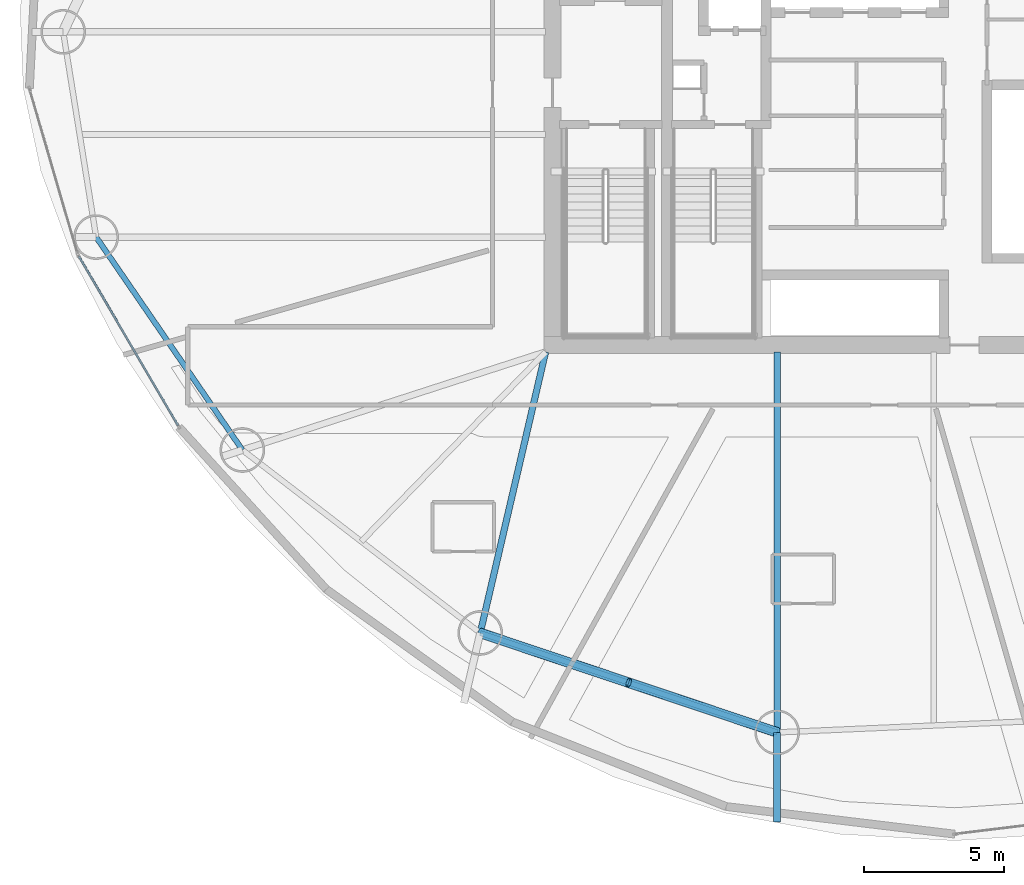
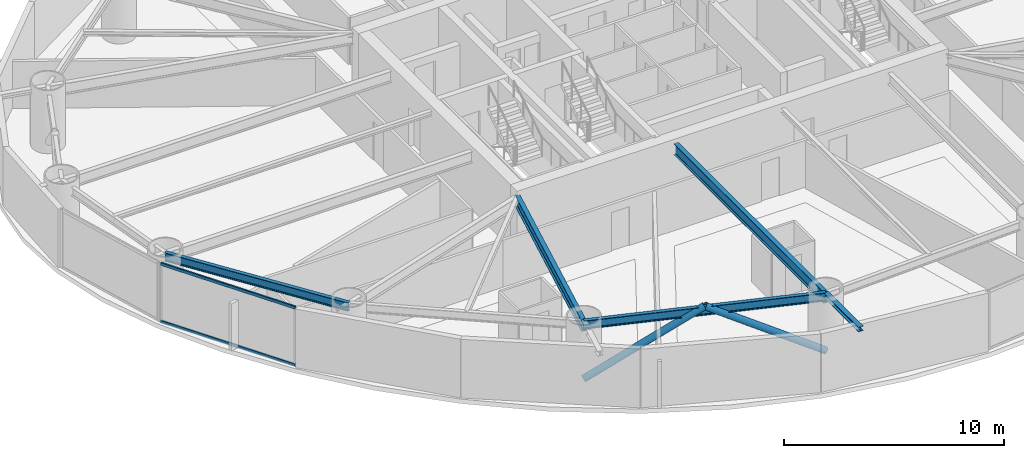
# One storey, part 3 of 30: 5 beams, 4 members, 1 element without a shape of its own.
"""IFC4 building model written with IfcOpenShell, lengths in metres."""

from ifc_helpers import new_model, si_unit, direction, frame, origin, origin_2d, place, context, subcontext, project, spatial, hollow_rectangle, hollow_circle, i_section, extrude, material, layer, layer_set, material_profile, profile_set, type_object, element, aggregate, save


model = new_model("IFC4")

# Units and contexts
model_context = context("Model", 3, precision=1e-05, world=origin(), true_north=direction((0.0, 1.0)))
body_context = subcontext(model_context, "Body", "Model", "MODEL_VIEW")
ifc_project = project(units=[si_unit("LENGTHUNIT", "METRE"), si_unit("AREAUNIT", "SQUARE_METRE"), si_unit("VOLUMEUNIT", "CUBIC_METRE"), si_unit("PLANEANGLEUNIT", "RADIAN"), si_unit("MASSUNIT", "GRAM", prefix="KILO")], contexts=[model_context])

# Site, building, storey
site_placement = place(None, origin())
site = spatial("IfcSite", under=ifc_project, at=site_placement, CompositionType="ELEMENT")
building_placement = place(site_placement, origin())
building = spatial("IfcBuilding", under=site, at=building_placement, Name="Bramvorn Convention Spire", CompositionType="ELEMENT")
storey_placement = place(building_placement, frame((0.0, 0.0, 90.39990234375)))
storey = spatial("IfcBuildingStorey", under=building, at=storey_placement, Name="L21", CompositionType="ELEMENT", Elevation=90.39990234375)

# Beams
ifc_material_1 = material(Name="Steel CSA G40.21 Grade 350 (350W)", Category="steel")
ifc_material_profile_1 = material_profile(ifc_material_1, i_section(OverallWidth=0.25390625, OverallDepth=0.2529296875, WebThickness=0.008544921875, FlangeThickness=0.01416015625, FilletRadius=0.011962890625, at=origin_2d()))
ifc_profile_set_1 = profile_set([ifc_material_profile_1], Name="Steel CSA G40.21 Grade 350 (350W) - W250X73")
beam_type_1 = type_object("IfcBeamType", Name="BM-W250X73", PredefinedType="BEAM", material=ifc_profile_set_1)
beam_1_placement = place(storey_placement, frame((35.0390625, 4.93115234375, 3.12353515625), z_axis=(0.0, -1.0, 0.0), x_axis=(1.0, 0.0, 0.0)))
element("IfcBeam", 1, at=beam_1_placement, inside=storey, type_object=beam_type_1, Name="L21 slab-edge cantilever tip beam MC13", PredefinedType="BEAM", context=body_context, shape_type="SweptSolid", body=[
    extrude(i_section(OverallWidth=0.25390625, OverallDepth=0.2529296875, WebThickness=0.008544921875, FlangeThickness=0.01416015625, FilletRadius=0.011962890625, at=origin_2d()), origin(), (0.0, 0.0, 1.0), 3.199951171875),
])
ifc_material_profile_2 = material_profile(ifc_material_1, i_section(OverallWidth=0.194091796875, OverallDepth=0.468994140625, WebThickness=0.0126953125, FlangeThickness=0.0205078125, FilletRadius=0.01806640625, at=origin_2d()))
ifc_profile_set_2 = profile_set([ifc_material_profile_2], Name="Steel CSA G40.21 Grade 350 (350W) - W460X106")
beam_type_2 = type_object("IfcBeamType", Name="BM-W460X106", PredefinedType="SPANDREL", material=ifc_profile_set_2)
beam_2_placement = place(storey_placement, frame((10.661376953125, 22.659912109375, 3.015625), z_axis=(0.566129730789, -0.824316157743, 0.0), x_axis=(0.824316157743, 0.566129730789, 0.0)))
element("IfcBeam", 2, at=beam_2_placement, inside=storey, type_object=beam_type_2, Name="L21 mega-column ring beam 10", PredefinedType="SPANDREL", context=body_context, shape_type="SweptSolid", body=[
    extrude(i_section(OverallWidth=0.194091796875, OverallDepth=0.468994140625, WebThickness=0.0126953125, FlangeThickness=0.0205078125, FilletRadius=0.01806640625, at=origin_2d()), origin(), (0.0, 0.0, 1.0), 9.244140625),
])
beam_3_placement = place(storey_placement, frame((24.40966796875, 8.490966796875, 3.015625), z_axis=(0.948235872727, -0.317566890078, 0.0), x_axis=(0.317566890078, 0.948235872727, 0.0)))
element("IfcBeam", 3, at=beam_3_placement, inside=storey, type_object=beam_type_2, Name="L21 mega-column ring beam 12", PredefinedType="SPANDREL", context=body_context, shape_type="SweptSolid", body=[
    extrude(i_section(OverallWidth=0.194091796875, OverallDepth=0.468994140625, WebThickness=0.0126953125, FlangeThickness=0.0205078125, FilletRadius=0.01806640625, at=origin_2d()), origin(), (0.0, 0.0, 1.0), 11.209716796875),
])
ifc_material_profile_3 = material_profile(ifc_material_1, i_section(OverallWidth=0.22998046875, OverallDepth=0.616943359375, WebThickness=0.01318359375, FlangeThickness=0.022216796875, FilletRadius=0.02001953125, at=origin_2d()))
ifc_profile_set_3 = profile_set([ifc_material_profile_3], Name="Steel CSA G40.21 Grade 350 (350W) - W610X140")
beam_type_3 = type_object("IfcBeamType", Name="BM-W610X140", PredefinedType="BEAM", material=ifc_profile_set_3)
beam_4_placement = place(storey_placement, frame((26.75, 18.550048828125, 2.941650390625), z_axis=(-0.226606328522, -0.973986433106, 0.0), x_axis=(0.973986433106, -0.226606328522, 0.0)))
element("IfcBeam", 4, at=beam_4_placement, inside=storey, type_object=beam_type_3, Name="L21 radial floor girder MC12", PredefinedType="BEAM", context=body_context, shape_type="SweptSolid", body=[
    extrude(i_section(OverallWidth=0.22998046875, OverallDepth=0.616943359375, WebThickness=0.01318359375, FlangeThickness=0.022216796875, FilletRadius=0.02001953125, at=origin_2d()), origin(), (0.0, 0.0, 1.0), 10.32763671875),
])
beam_5_placement = place(storey_placement, frame((35.0390625, 18.550048828125, 2.941650390625), z_axis=(0.0, -1.0, 0.0), x_axis=(1.0, 0.0, 0.0)))
element("IfcBeam", 5, at=beam_5_placement, inside=storey, type_object=beam_type_3, Name="L21 radial floor girder MC13", PredefinedType="BEAM", context=body_context, shape_type="SweptSolid", body=[
    extrude(i_section(OverallWidth=0.22998046875, OverallDepth=0.616943359375, WebThickness=0.01318359375, FlangeThickness=0.022216796875, FilletRadius=0.02001953125, at=origin_2d()), origin(), (0.0, 0.0, 1.0), 13.618896484375),
])

# Curtain wall, members
ifc_material_2 = material(Name="Anodised Bronze Unitised Curtain Wall", Category="aluminium")
ifc_layer = layer(ifc_material_2, 0.179931640625)
ifc_layer_set = layer_set([ifc_layer], Name="Anodised Bronze Unitised Curtain Wall - CW-HTL-FRIT")
curtain_wall_type = type_object("IfcCurtainWallType", Name="CW-HTL-FRIT", PredefinedType="USERDEFINED", material=ifc_layer_set)
curtain_wall_placement = place(storey_placement, origin())
curtain_wall = element("IfcCurtainWall", 6, at=curtain_wall_placement, inside=storey, type_object=curtain_wall_type, Name="L21 fritted glass curtain wall 15", ObjectType="UNITISED CURTAIN WALL", PredefinedType="USERDEFINED")
ifc_material_3 = material(Name="Anodised Bronze Aluminium 6063-T6", Category="aluminium")
ifc_material_profile_4 = material_profile(ifc_material_3, hollow_rectangle(XDim=0.080078125, YDim=0.159912109375, WallThickness=0.00390625, InnerFilletRadius=0.0009765625, OuterFilletRadius=0.00390625, at=origin_2d()))
ifc_profile_set_4 = profile_set([ifc_material_profile_4], Name="Anodised Bronze Aluminium 6063-T6 - CWT80X160")
member_type_1 = type_object("IfcMemberType", Name="CW-TRN-150", PredefinedType="USERDEFINED", material=ifc_profile_set_4)
member_1_placement = place(storey_placement, frame((13.593994140625, 15.9150390625, 0.030029296875), z_axis=(-0.505845289382, 0.862624219003, 0.0), x_axis=(-0.862624219003, -0.505845289382, 0.0)))
member_1 = element("IfcMember", 7, at=member_1_placement, type_object=member_type_1, Name="CW2 transom 1.1", ObjectType="TRANSOM", PredefinedType="USERDEFINED", context=body_context, shape_type="SweptSolid", body=[
    extrude(hollow_rectangle(XDim=0.080078125, YDim=0.159912109375, WallThickness=0.00390625, InnerFilletRadius=0.0009765625, OuterFilletRadius=0.00390625, at=origin_2d()), origin(), (0.0, 0.0, 1.0), 7.02294921875),
])
member_2_placement = place(storey_placement, frame((13.593994140625, 15.9150390625, 3.22021484375), z_axis=(-0.505845289382, 0.862624219003, 0.0), x_axis=(-0.862624219003, -0.505845289382, 0.0)))
member_2 = element("IfcMember", 8, at=member_2_placement, type_object=member_type_1, Name="CW2 transom 1.2", ObjectType="TRANSOM", PredefinedType="USERDEFINED", context=body_context, shape_type="SweptSolid", body=[
    extrude(hollow_rectangle(XDim=0.080078125, YDim=0.159912109375, WallThickness=0.00390625, InnerFilletRadius=0.0009765625, OuterFilletRadius=0.00390625, at=origin_2d()), origin(), (0.0, 0.0, 1.0), 7.02294921875),
])
aggregate(curtain_wall, [member_1, member_2])

# Members
ifc_material_profile_5 = material_profile(ifc_material_1, hollow_circle(Radius=0.177734375, WallThickness=0.015869140625, at=origin_2d()))
ifc_profile_set_5 = profile_set([ifc_material_profile_5], Name="Steel CSA G40.21 Grade 350 (350W) - CHS356X16")
member_type_2 = type_object("IfcMemberType", Name="MBR-CHS356X16", PredefinedType="BRACE", material=ifc_profile_set_5)
for number, where, z_axis, x_axis, name in (
    (9, (24.40966796875, 8.490966796875, 0.0), (0.820300118259, -0.274739683138, 0.501623187756), (0.31758647294, 0.948229314146, 0.0), "L21 perimeter Gothic lancet brace 12A"),
    (10, (35.0390625, 4.93115234375, 0.0), (-0.820308610169, 0.274704844877, 0.501628380659), (-0.31754730681, -0.948242430994, 0.0), "L21 perimeter Gothic lancet brace 12B"),
):
    element("IfcMember", number, at=place(storey_placement, frame(where, z_axis=z_axis, x_axis=x_axis)), inside=storey, type_object=member_type_2, Name=name, PredefinedType="BRACE", context=body_context, shape_type="SweptSolid", body=[
        extrude(hollow_circle(Radius=0.177734375, WallThickness=0.015869140625, at=origin_2d()), origin(), (0.0, 0.0, 1.0), 6.47900390625),
    ])

save(model, "model.ifc")
